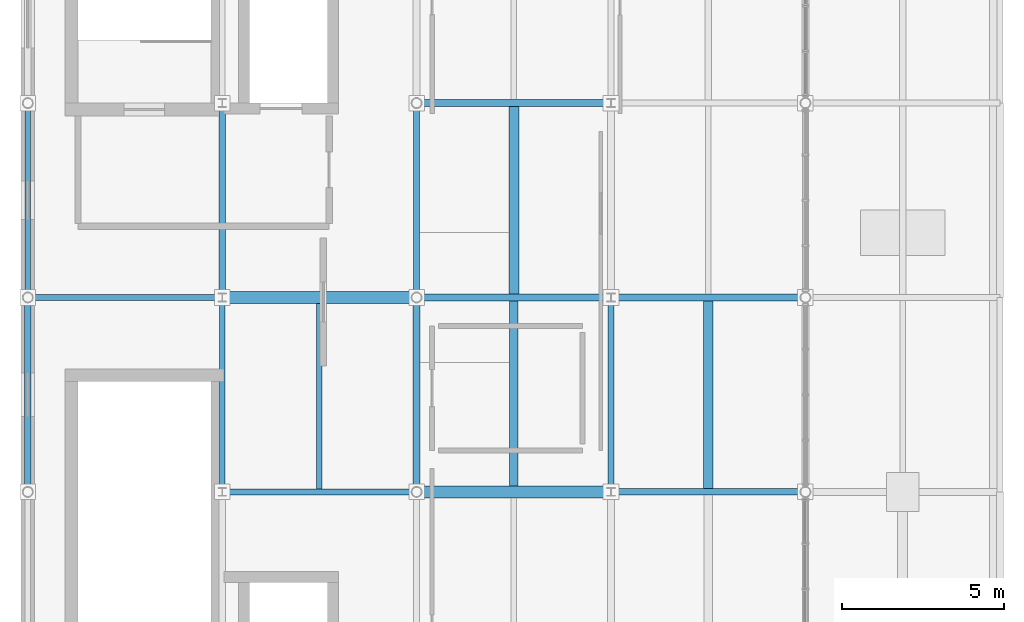
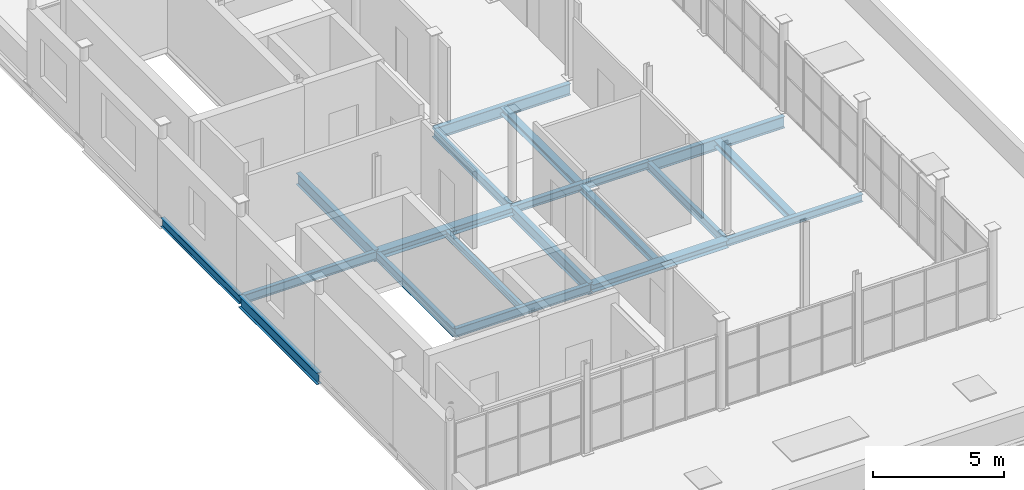
# One storey, part 11 of 27: 19 beams.
"""IFC4 building model written with IfcOpenShell, lengths in metres."""

from ifc_helpers import new_model, si_unit, direction, frame, origin, origin_2d, place, context, subcontext, project, spatial, i_section, extrude, material, material_profile, profile_set, type_object, element, save


model = new_model("IFC4")

# Units and contexts
model_context = context("Model", 3, precision=1e-05, world=origin(), true_north=direction((0.0, 1.0)))
body_context = subcontext(model_context, "Body", "Model", "MODEL_VIEW")
ifc_project = project(units=[si_unit("LENGTHUNIT", "METRE"), si_unit("AREAUNIT", "SQUARE_METRE"), si_unit("VOLUMEUNIT", "CUBIC_METRE"), si_unit("PLANEANGLEUNIT", "RADIAN"), si_unit("MASSUNIT", "GRAM", prefix="KILO")], contexts=[model_context])

# Site, building, storey
site_placement = place(None, origin())
site = spatial("IfcSite", under=ifc_project, at=site_placement, CompositionType="ELEMENT")
building_placement = place(site_placement, origin())
building = spatial("IfcBuilding", under=site, at=building_placement, Name="Verrall Gate Interchange", CompositionType="ELEMENT")
storey_placement = place(building_placement, frame((0.0, 0.0, 28.60009765625)))
storey = spatial("IfcBuildingStorey", under=building, at=storey_placement, Name="L07", CompositionType="ELEMENT", Elevation=28.60009765625)

# Beams
ifc_material_1 = material(Name="Structural Steel CSA G40.21 350W", Category="steel")
ifc_material_profile_1 = material_profile(ifc_material_1, i_section(OverallWidth=0.2109375, OverallDepth=0.5390625, WebThickness=0.01171875, FlangeThickness=0.018798828125, FilletRadius=0.013916015625, at=origin_2d()), Name="W530x109")
ifc_profile_set_1 = profile_set([ifc_material_profile_1], Name="Structural Steel CSA G40.21 350W")
beam_type_1 = type_object("IfcBeamType", Name="B-10 Structural Beam W530x109", PredefinedType="BEAM", material=ifc_profile_set_1)
for number, where, z_axis, x_axis, name in (
    (1, (24.0, 28.0, -0.529541015625), (1.0, 0.0, 0.0), (0.0, 1.0, 0.0), "L07 Girder BM-L07-3242 (B-10)"),
    (2, (18.0, 34.0, -0.529541015625), (1.0, 0.0, 0.0), (0.0, 1.0, 0.0), "L07 Girder BM-L07-3244 (B-10)"),
    (3, (6.0, 22.0, -0.529541015625), (0.0, 1.0, 0.0), (-1.0, 0.0, 0.0), "L07 Girder BM-L07-3267 (B-10)"),
    (4, (12.0, 28.0, -0.529541015625), (0.0, 1.0, 0.0), (-1.0, 0.0, 0.0), "L07 Girder BM-L07-3277 (B-10)"),
    (5, (18.0, 22.0, -0.529541015625), (0.0, 1.0, 0.0), (-1.0, 0.0, 0.0), "L07 Girder BM-L07-3285 (B-10)"),
):
    element("IfcBeam", number, at=place(storey_placement, frame(where, z_axis=z_axis, x_axis=x_axis)), inside=storey, type_object=beam_type_1, Name=name, PredefinedType="BEAM", context=body_context, shape_type="SweptSolid", body=[
        extrude(i_section(OverallWidth=0.2109375, OverallDepth=0.5390625, WebThickness=0.01171875, FlangeThickness=0.018798828125, FilletRadius=0.013916015625, at=origin_2d()), origin(), (0.0, 0.0, 1.0), 6.0),
    ])
ifc_material_2 = material(Name="Structural Steel CSA G40.21 350W", Category="steel")
ifc_material_profile_2 = material_profile(ifc_material_2, i_section(OverallWidth=0.178955078125, OverallDepth=0.409912109375, WebThickness=0.0087890625, FlangeThickness=0.014404296875, FilletRadius=0.011962890625, at=origin_2d()), Name="W410x67")
ifc_profile_set_2 = profile_set([ifc_material_profile_2], Name="Structural Steel CSA G40.21 350W")
beam_type_2 = type_object("IfcBeamType", Name="B-12 Structural Beam W410x67", PredefinedType="BEAM", material=ifc_profile_set_2)
for number, where, z_axis, x_axis, name in (
    (6, (12.0, 22.0, -0.465087890625), (1.0, 0.0, 0.0), (0.0, 1.0, 0.0), "L07 Girder BM-L07-3235 (B-12)"),
    (7, (6.0, 28.0, -0.465087890625), (1.0, 0.0, 0.0), (0.0, 1.0, 0.0), "L07 Girder BM-L07-3239 (B-12)"),
    (8, (6.0, 28.0, -0.465087890625), (0.0, 1.0, 0.0), (-1.0, 0.0, 0.0), "L07 Girder BM-L07-3268 (B-12)"),
    (9, (12.0, 22.0, -0.465087890625), (0.0, 1.0, 0.0), (-1.0, 0.0, 0.0), "L07 Girder BM-L07-3276 (B-12)"),
    (10, (18.0, 28.0, -0.465087890625), (0.0, 1.0, 0.0), (-1.0, 0.0, 0.0), "L07 Girder BM-L07-3286 (B-12)"),
    (11, (24.0, 22.0, -0.465087890625), (0.0, 1.0, 0.0), (-1.0, 0.0, 0.0), "L07 Girder BM-L07-3294 (B-12)"),
):
    element("IfcBeam", number, at=place(storey_placement, frame(where, z_axis=z_axis, x_axis=x_axis)), inside=storey, type_object=beam_type_2, Name=name, PredefinedType="BEAM", context=body_context, shape_type="SweptSolid", body=[
        extrude(i_section(OverallWidth=0.178955078125, OverallDepth=0.409912109375, WebThickness=0.0087890625, FlangeThickness=0.014404296875, FilletRadius=0.011962890625, at=origin_2d()), origin(), (0.0, 0.0, 1.0), 6.0),
    ])
ifc_material_3 = material(Name="Structural Steel CSA G40.21 350W", Category="steel")
ifc_material_profile_3 = material_profile(ifc_material_3, i_section(OverallWidth=0.368896484375, OverallDepth=0.35595703125, WebThickness=0.01123046875, FlangeThickness=0.01806640625, FilletRadius=0.014892578125, at=origin_2d()), Name="W360x134")
ifc_profile_set_3 = profile_set([ifc_material_profile_3], Name="Structural Steel CSA G40.21 350W")
beam_type_3 = type_object("IfcBeamType", Name="B-13 Structural Beam W360x134", PredefinedType="BEAM", material=ifc_profile_set_3)
for number, where, z_axis, x_axis, name in (
    (12, (18.0, 22.0, -0.43798828125), (1.0, 0.0, 0.0), (0.0, 1.0, 0.0), "L07 Girder BM-L07-3236 (B-13)"),
    (13, (12.0, 28.0, -0.43798828125), (1.0, 0.0, 0.0), (0.0, 1.0, 0.0), "L07 Girder BM-L07-3240 (B-13)"),
):
    element("IfcBeam", number, at=place(storey_placement, frame(where, z_axis=z_axis, x_axis=x_axis)), inside=storey, type_object=beam_type_3, Name=name, PredefinedType="BEAM", context=body_context, shape_type="SweptSolid", body=[
        extrude(i_section(OverallWidth=0.368896484375, OverallDepth=0.35595703125, WebThickness=0.01123046875, FlangeThickness=0.01806640625, FilletRadius=0.014892578125, at=origin_2d()), origin(), (0.0, 0.0, 1.0), 6.0),
    ])
ifc_material_4 = material(Name="Structural Steel CSA G40.21 350W", Category="steel")
ifc_material_profile_4 = material_profile(ifc_material_4, i_section(OverallWidth=0.205078125, OverallDepth=0.35400390625, WebThickness=0.009521484375, FlangeThickness=0.016845703125, FilletRadius=0.012939453125, at=origin_2d()), Name="W360x79")
ifc_profile_set_4 = profile_set([ifc_material_profile_4], Name="Structural Steel CSA G40.21 350W")
beam_type_4 = type_object("IfcBeamType", Name="B-14 Structural Beam W360x79", PredefinedType="BEAM", material=ifc_profile_set_4)
for number, where, z_axis, x_axis, name in (
    (14, (24.0, 22.0, -0.43701171875), (1.0, 0.0, 0.0), (0.0, 1.0, 0.0), "L07 Girder BM-L07-3237 (B-14)"),
    (15, (18.0, 28.0, -0.43701171875), (1.0, 0.0, 0.0), (0.0, 1.0, 0.0), "L07 Girder BM-L07-3241 (B-14)"),
):
    element("IfcBeam", number, at=place(storey_placement, frame(where, z_axis=z_axis, x_axis=x_axis)), inside=storey, type_object=beam_type_4, Name=name, PredefinedType="BEAM", context=body_context, shape_type="SweptSolid", body=[
        extrude(i_section(OverallWidth=0.205078125, OverallDepth=0.35400390625, WebThickness=0.009521484375, FlangeThickness=0.016845703125, FilletRadius=0.012939453125, at=origin_2d()), origin(), (0.0, 0.0, 1.0), 6.0),
    ])
ifc_material_5 = material(Name="Structural Steel CSA G40.21 350W", Category="steel")
ifc_material_profile_5 = material_profile(ifc_material_5, i_section(OverallWidth=0.306884765625, OverallDepth=0.31396484375, WebThickness=0.011962890625, FlangeThickness=0.018798828125, FilletRadius=0.013916015625, at=origin_2d()), Name="W310x118")
ifc_profile_set_5 = profile_set([ifc_material_profile_5], Name="Structural Steel CSA G40.21 350W")
beam_type_5 = type_object("IfcBeamType", Name="J-02 Floor Joist W310x118", PredefinedType="JOIST", material=ifc_profile_set_5)
for number, where, z_axis, x_axis, name in (
    (16, (27.0, 22.1025390625, -0.4169921875), (0.0, 1.0, 0.0), (-1.0, 0.0, 0.0), "L07 Secondary Floor Joist JST-L07-3331"),
    (17, (21.0, 28.1025390625, -0.4169921875), (0.0, 1.0, 0.0), (-1.0, 0.0, 0.0), "L07 Secondary Floor Joist JST-L07-3333"),
):
    element("IfcBeam", number, at=place(storey_placement, frame(where, z_axis=z_axis, x_axis=x_axis)), inside=storey, type_object=beam_type_5, Name=name, PredefinedType="JOIST", context=body_context, shape_type="SweptSolid", body=[
        extrude(i_section(OverallWidth=0.306884765625, OverallDepth=0.31396484375, WebThickness=0.011962890625, FlangeThickness=0.018798828125, FilletRadius=0.013916015625, at=origin_2d()), origin(), (0.0, 0.0, 1.0), 5.7919921875),
    ])
ifc_material_6 = material(Name="Structural Steel CSA G40.21 350W", Category="steel")
ifc_material_profile_6 = material_profile(ifc_material_6, i_section(OverallWidth=0.25390625, OverallDepth=0.305908203125, WebThickness=0.0087890625, FlangeThickness=0.0146484375, FilletRadius=0.012939453125, at=origin_2d()), Name="W310x79")
ifc_profile_set_6 = profile_set([ifc_material_profile_6], Name="Structural Steel CSA G40.21 350W")
beam_type_6 = type_object("IfcBeamType", Name="J-03 Floor Joist W310x79", PredefinedType="JOIST", material=ifc_profile_set_6)
beam_1_placement = place(storey_placement, frame((21.0, 22.1845703125, -0.4130859375), z_axis=(0.0, 1.0, 0.0), x_axis=(-1.0, 0.0, 0.0)))
element("IfcBeam", 18, at=beam_1_placement, inside=storey, type_object=beam_type_6, Name="L07 Secondary Floor Joist JST-L07-3330", PredefinedType="JOIST", context=body_context, shape_type="SweptSolid", body=[
    extrude(i_section(OverallWidth=0.25390625, OverallDepth=0.305908203125, WebThickness=0.0087890625, FlangeThickness=0.0146484375, FilletRadius=0.012939453125, at=origin_2d()), origin(), (0.0, 0.0, 1.0), 5.712890625),
])
ifc_material_7 = material(Name="Structural Steel CSA G40.21 350W", Category="steel")
ifc_material_profile_7 = material_profile(ifc_material_7, i_section(OverallWidth=0.1650390625, OverallDepth=0.31005859375, WebThickness=0.005859375, FlangeThickness=0.009765625, FilletRadius=0.010009765625, at=origin_2d()), Name="W310x39")
ifc_profile_set_7 = profile_set([ifc_material_profile_7], Name="Structural Steel CSA G40.21 350W")
beam_type_7 = type_object("IfcBeamType", Name="J-04 Floor Joist W310x39", PredefinedType="JOIST", material=ifc_profile_set_7)
beam_2_placement = place(storey_placement, frame((15.0, 22.089599609375, -0.4150390625), z_axis=(0.0, 1.0, 0.0), x_axis=(-1.0, 0.0, 0.0)))
element("IfcBeam", 19, at=beam_2_placement, inside=storey, type_object=beam_type_7, Name="L07 Secondary Floor Joist JST-L07-3329", PredefinedType="JOIST", context=body_context, shape_type="SweptSolid", body=[
    extrude(i_section(OverallWidth=0.1650390625, OverallDepth=0.31005859375, WebThickness=0.005859375, FlangeThickness=0.009765625, FilletRadius=0.010009765625, at=origin_2d()), origin(), (0.0, 0.0, 1.0), 5.725830078125),
])

save(model, "model.ifc")
